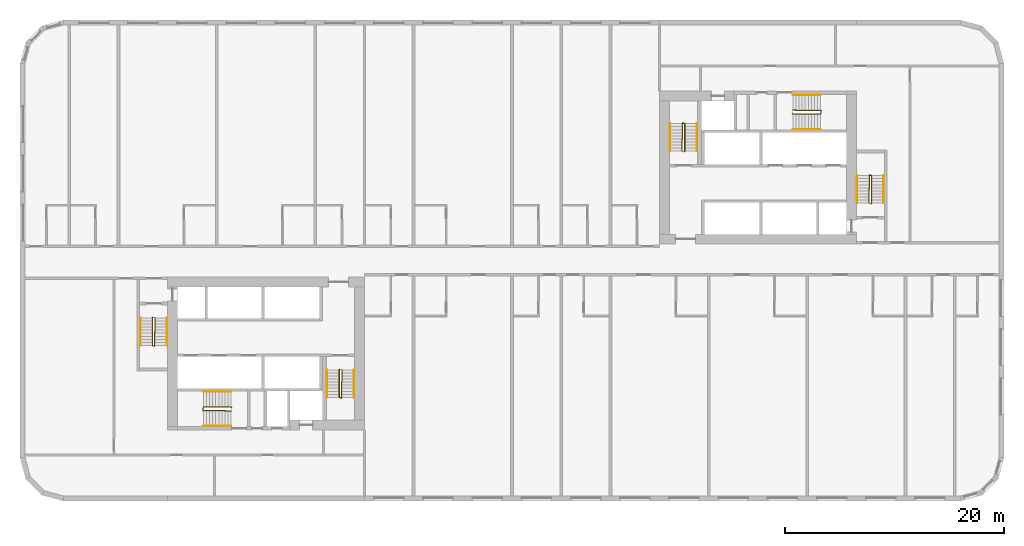
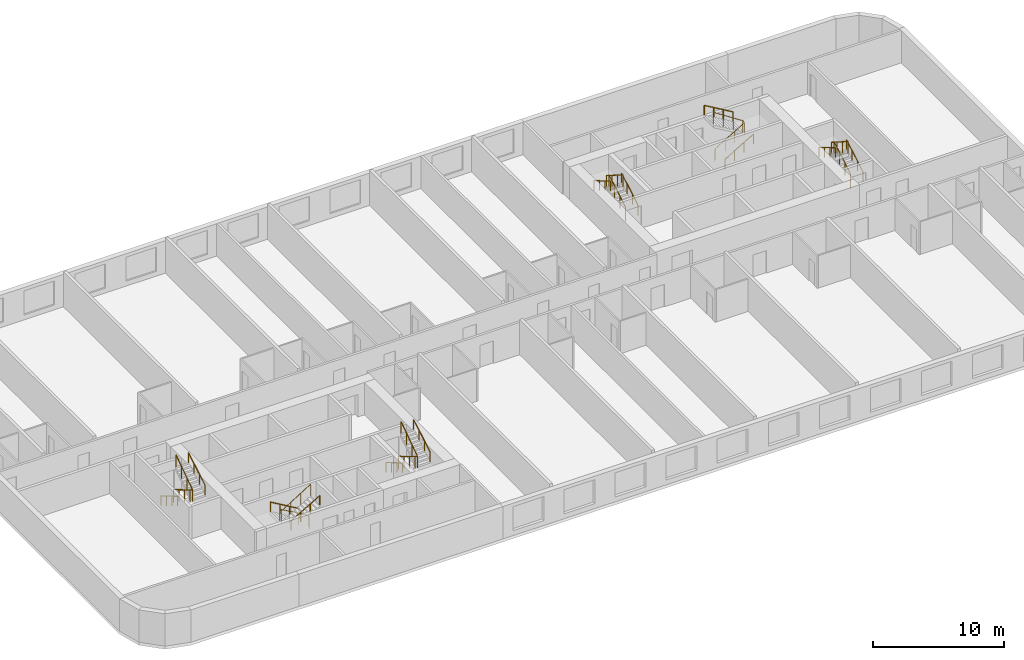
# One storey, part 12 of 12: 18 railings.
"""IFC4 building model written with IfcOpenShell, lengths in metres."""

from ifc_helpers import new_model, si_unit, direction, frame, origin, origin_2d, place, context, subcontext, project, spatial, circle, extrude, material, type_object, element, save


model = new_model("IFC4")

# Units and contexts
model_context = context("Model", 3, precision=1e-05, world=origin(), true_north=direction((0.0, 1.0)))
body_context = subcontext(model_context, "Body", "Model", "MODEL_VIEW")
ifc_project = project(units=[si_unit("LENGTHUNIT", "METRE"), si_unit("AREAUNIT", "SQUARE_METRE"), si_unit("VOLUMEUNIT", "CUBIC_METRE"), si_unit("PLANEANGLEUNIT", "RADIAN"), si_unit("MASSUNIT", "GRAM", prefix="KILO")], contexts=[model_context])

# Site, building, storey
site_placement = place(None, origin())
site = spatial("IfcSite", under=ifc_project, at=site_placement, CompositionType="ELEMENT")
building_placement = place(site_placement, origin())
building = spatial("IfcBuilding", under=site, at=building_placement, Name="Kajstack Hotel Tower", CompositionType="ELEMENT")
storey_placement = place(building_placement, frame((0.0, 0.0, 66.60009765625)))
storey = spatial("IfcBuildingStorey", under=building, at=storey_placement, Name="L11", CompositionType="ELEMENT", Elevation=66.60009765625)

# Railings
ifc_material = material(Name="Steel S355J2", Category="steel")
railing_type_1 = type_object("IfcRailingType", Name="Stair guard 1100", PredefinedType="GUARDRAIL", material=ifc_material)
railing_1_placement = place(storey_placement, frame((-32.85009765625, -5.199951171875, 0.0)))
element("IfcRailing", 1, at=railing_1_placement, inside=storey, type_object=railing_type_1, Name="L11 W1 stair guard 1", PredefinedType="GUARDRAIL", context=body_context, shape_type="SweptSolid", body=[
    extrude(circle(Radius=0.02392578125, at=origin_2d()), frame((0.0, 0.0, 1.076171875), z_axis=(-0.277797701265, -0.279159454702, 0.919183570361), x_axis=(0.708833529934, -0.705375805398, 0.0)), (0.0, 0.0, 1.0), 0.17919921875),
    extrude(circle(Radius=0.02392578125, at=origin_2d()), frame((-0.0498046875, -0.050048828125, 1.24072265625), z_axis=(0.0, -0.86152411907, 0.507716645641), x_axis=(1.0, 0.0, 0.0)), (0.0, 0.0, 1.0), 2.925048828125),
    extrude(circle(Radius=0.02392578125, at=origin_2d()), frame((-0.0498046875, -2.570068359375, 2.72607421875), z_axis=(0.970072785993, -0.242814311512, 0.0), x_axis=(0.242814311512, 0.970072785993, 0.0)), (0.0, 0.0, 1.0), 0.2060546875),
    extrude(circle(Radius=0.02392578125, at=origin_2d()), frame((0.150146484375, -2.6201171875, 2.72607421875), z_axis=(0.016385308676, 0.841405582595, 0.540155687962), x_axis=(-0.999810440751, 0.019470042781, 0.0)), (0.0, 0.0, 1.0), 3.054443359375),
    extrude(circle(Radius=0.02099609375, at=origin_2d()), origin(), (0.0, 0.0, 1.0), 1.052001953125),
    extrude(circle(Radius=0.02099609375, at=origin_2d()), frame((-0.0498046875, -0.050048828125, 0.164794921875)), (0.0, 0.0, 1.0), 1.052001953125),
    extrude(circle(Radius=0.02099609375, at=origin_2d()), frame((-0.0498046875, -0.89013671875, 0.659912109375)), (0.0, 0.0, 1.0), 1.052001953125),
    extrude(circle(Radius=0.02099609375, at=origin_2d()), frame((-0.0498046875, -1.72998046875, 1.15478515625)), (0.0, 0.0, 1.0), 1.052001953125),
    extrude(circle(Radius=0.02099609375, at=origin_2d()), frame((-0.0498046875, -2.570068359375, 1.64990234375)), (0.0, 0.0, 1.0), 1.052001953125),
    extrude(circle(Radius=0.02099609375, at=origin_2d()), frame((0.150146484375, -2.6201171875, 1.64990234375)), (0.0, 0.0, 1.0), 1.052001953125),
    extrude(circle(Radius=0.02099609375, at=origin_2d()), frame((0.166748046875, -1.763427734375, 2.199951171875)), (0.0, 0.0, 1.0), 1.052001953125),
    extrude(circle(Radius=0.02099609375, at=origin_2d()), frame((0.18359375, -0.90673828125, 2.749755859375)), (0.0, 0.0, 1.0), 1.052001953125),
    extrude(circle(Radius=0.02099609375, at=origin_2d()), frame((0.2001953125, -0.050048828125, 3.2998046875)), (0.0, 0.0, 1.0), 1.052001953125),
])
railing_2_placement = place(storey_placement, frame((-15.75, -9.949951171875, 0.0)))
element("IfcRailing", 2, at=railing_2_placement, inside=storey, type_object=railing_type_1, Name="L11 W2 stair guard 1", PredefinedType="GUARDRAIL", context=body_context, shape_type="SweptSolid", body=[
    extrude(circle(Radius=0.02392578125, at=origin_2d()), frame((0.0, 0.0, 1.076171875), z_axis=(-0.279053652268, -0.279053652268, 0.918835196492), x_axis=(0.707106781187, -0.707106781187, 0.0)), (0.0, 0.0, 1.0), 0.179443359375),
    extrude(circle(Radius=0.02392578125, at=origin_2d()), frame((-0.050048828125, -0.050048828125, 1.24072265625), z_axis=(0.0, -0.86152411907, 0.507716645641), x_axis=(1.0, 0.0, 0.0)), (0.0, 0.0, 1.0), 2.925048828125),
    extrude(circle(Radius=0.02392578125, at=origin_2d()), frame((-0.050048828125, -2.570068359375, 2.72607421875), z_axis=(0.970072785993, -0.242814311512, 0.0), x_axis=(0.242814311512, 0.970072785993, 0.0)), (0.0, 0.0, 1.0), 0.2060546875),
    extrude(circle(Radius=0.02392578125, at=origin_2d()), frame((0.14990234375, -2.6201171875, 2.72607421875), z_axis=(0.016385308676, 0.841405582595, 0.540155687962), x_axis=(-0.999810440751, 0.019470042781, 0.0)), (0.0, 0.0, 1.0), 3.054443359375),
    extrude(circle(Radius=0.02099609375, at=origin_2d()), origin(), (0.0, 0.0, 1.0), 1.052001953125),
    extrude(circle(Radius=0.02099609375, at=origin_2d()), frame((-0.050048828125, -0.050048828125, 0.164794921875)), (0.0, 0.0, 1.0), 1.052001953125),
    extrude(circle(Radius=0.02099609375, at=origin_2d()), frame((-0.050048828125, -0.89013671875, 0.659912109375)), (0.0, 0.0, 1.0), 1.052001953125),
    extrude(circle(Radius=0.02099609375, at=origin_2d()), frame((-0.050048828125, -1.72998046875, 1.15478515625)), (0.0, 0.0, 1.0), 1.052001953125),
    extrude(circle(Radius=0.02099609375, at=origin_2d()), frame((-0.050048828125, -2.570068359375, 1.64990234375)), (0.0, 0.0, 1.0), 1.052001953125),
    extrude(circle(Radius=0.02099609375, at=origin_2d()), frame((0.14990234375, -2.6201171875, 1.64990234375)), (0.0, 0.0, 1.0), 1.052001953125),
    extrude(circle(Radius=0.02099609375, at=origin_2d()), frame((0.16650390625, -1.763427734375, 2.199951171875)), (0.0, 0.0, 1.0), 1.052001953125),
    extrude(circle(Radius=0.02099609375, at=origin_2d()), frame((0.183349609375, -0.90673828125, 2.749755859375)), (0.0, 0.0, 1.0), 1.052001953125),
    extrude(circle(Radius=0.02099609375, at=origin_2d()), frame((0.199951171875, -0.050048828125, 3.2998046875)), (0.0, 0.0, 1.0), 1.052001953125),
])
railing_3_placement = place(storey_placement, frame((-25.64990234375, -13.449951171875, 0.0)))
element("IfcRailing", 3, at=railing_3_placement, inside=storey, type_object=railing_type_1, Name="L11 W3 stair guard 1", PredefinedType="GUARDRAIL", context=body_context, shape_type="SweptSolid", body=[
    extrude(circle(Radius=0.02392578125, at=origin_2d()), frame((0.0, 0.0, 1.076171875), z_axis=(-0.279053652268, 0.279053652268, 0.918835196492), x_axis=(-0.707106781187, -0.707106781187, 0.0)), (0.0, 0.0, 1.0), 0.179443359375),
    extrude(circle(Radius=0.02392578125, at=origin_2d()), frame((-0.050048828125, 0.050048828125, 1.24072265625), z_axis=(-0.86152411907, 0.0, 0.507716645641), x_axis=(0.0, -1.0, 0.0)), (0.0, 0.0, 1.0), 2.925048828125),
    extrude(circle(Radius=0.02392578125, at=origin_2d()), frame((-2.570068359375, 0.050048828125, 2.72607421875), z_axis=(-0.164529134168, -0.986372223864, 0.0), x_axis=(0.986372223864, -0.164529134168, 0.0)), (0.0, 0.0, 1.0), 0.30419921875),
    extrude(circle(Radius=0.02392578125, at=origin_2d()), frame((-2.6201171875, -0.25, 2.72607421875), z_axis=(0.841405582595, -0.016385308676, 0.540155687962), x_axis=(0.019470042781, 0.999810440751, 0.0)), (0.0, 0.0, 1.0), 3.054443359375),
    extrude(circle(Radius=0.02099609375, at=origin_2d()), origin(), (0.0, 0.0, 1.0), 1.052001953125),
    extrude(circle(Radius=0.02099609375, at=origin_2d()), frame((-0.050048828125, 0.050048828125, 0.164794921875)), (0.0, 0.0, 1.0), 1.052001953125),
    extrude(circle(Radius=0.02099609375, at=origin_2d()), frame((-0.89013671875, 0.050048828125, 0.659912109375)), (0.0, 0.0, 1.0), 1.052001953125),
    extrude(circle(Radius=0.02099609375, at=origin_2d()), frame((-1.72998046875, 0.050048828125, 1.15478515625)), (0.0, 0.0, 1.0), 1.052001953125),
    extrude(circle(Radius=0.02099609375, at=origin_2d()), frame((-2.570068359375, 0.050048828125, 1.64990234375)), (0.0, 0.0, 1.0), 1.052001953125),
    extrude(circle(Radius=0.02099609375, at=origin_2d()), frame((-2.6201171875, -0.25, 1.64990234375)), (0.0, 0.0, 1.0), 1.052001953125),
    extrude(circle(Radius=0.02099609375, at=origin_2d()), frame((-1.763427734375, -0.2666015625, 2.199951171875)), (0.0, 0.0, 1.0), 1.052001953125),
    extrude(circle(Radius=0.02099609375, at=origin_2d()), frame((-0.90673828125, -0.283447265625, 2.749755859375)), (0.0, 0.0, 1.0), 1.052001953125),
    extrude(circle(Radius=0.02099609375, at=origin_2d()), frame((-0.050048828125, -0.300048828125, 3.2998046875)), (0.0, 0.0, 1.0), 1.052001953125),
])
railing_4_placement = place(storey_placement, frame((32.85009765625, 5.199951171875, 0.0)))
element("IfcRailing", 4, at=railing_4_placement, inside=storey, type_object=railing_type_1, Name="L11 E1 stair guard 1", PredefinedType="GUARDRAIL", context=body_context, shape_type="SweptSolid", body=[
    extrude(circle(Radius=0.02392578125, at=origin_2d()), frame((0.0, 0.0, 1.076171875), z_axis=(0.277797701265, 0.279159454702, 0.919183570361), x_axis=(-0.708833529934, 0.705375805398, 0.0)), (0.0, 0.0, 1.0), 0.17919921875),
    extrude(circle(Radius=0.02392578125, at=origin_2d()), frame((0.0498046875, 0.050048828125, 1.24072265625), z_axis=(0.0, 0.86152411907, 0.507716645641), x_axis=(-1.0, 0.0, 0.0)), (0.0, 0.0, 1.0), 2.925048828125),
    extrude(circle(Radius=0.02392578125, at=origin_2d()), frame((0.0498046875, 2.570068359375, 2.72607421875), z_axis=(-0.970072785993, 0.242814311512, 0.0), x_axis=(-0.242814311512, -0.970072785993, 0.0)), (0.0, 0.0, 1.0), 0.2060546875),
    extrude(circle(Radius=0.02392578125, at=origin_2d()), frame((-0.150146484375, 2.6201171875, 2.72607421875), z_axis=(-0.016385308676, -0.841405582595, 0.540155687962), x_axis=(0.999810440751, -0.019470042781, 0.0)), (0.0, 0.0, 1.0), 3.054443359375),
    extrude(circle(Radius=0.02099609375, at=origin_2d()), origin(), (0.0, 0.0, 1.0), 1.052001953125),
    extrude(circle(Radius=0.02099609375, at=origin_2d()), frame((0.0498046875, 0.050048828125, 0.164794921875)), (0.0, 0.0, 1.0), 1.052001953125),
    extrude(circle(Radius=0.02099609375, at=origin_2d()), frame((0.0498046875, 0.89013671875, 0.659912109375)), (0.0, 0.0, 1.0), 1.052001953125),
    extrude(circle(Radius=0.02099609375, at=origin_2d()), frame((0.0498046875, 1.72998046875, 1.15478515625)), (0.0, 0.0, 1.0), 1.052001953125),
    extrude(circle(Radius=0.02099609375, at=origin_2d()), frame((0.0498046875, 2.570068359375, 1.64990234375)), (0.0, 0.0, 1.0), 1.052001953125),
    extrude(circle(Radius=0.02099609375, at=origin_2d()), frame((-0.150146484375, 2.6201171875, 1.64990234375)), (0.0, 0.0, 1.0), 1.052001953125),
    extrude(circle(Radius=0.02099609375, at=origin_2d()), frame((-0.166748046875, 1.763427734375, 2.199951171875)), (0.0, 0.0, 1.0), 1.052001953125),
    extrude(circle(Radius=0.02099609375, at=origin_2d()), frame((-0.18359375, 0.90673828125, 2.749755859375)), (0.0, 0.0, 1.0), 1.052001953125),
    extrude(circle(Radius=0.02099609375, at=origin_2d()), frame((-0.2001953125, 0.050048828125, 3.2998046875)), (0.0, 0.0, 1.0), 1.052001953125),
])
railing_5_placement = place(storey_placement, frame((15.75, 9.949951171875, 0.0)))
element("IfcRailing", 5, at=railing_5_placement, inside=storey, type_object=railing_type_1, Name="L11 E2 stair guard 1", PredefinedType="GUARDRAIL", context=body_context, shape_type="SweptSolid", body=[
    extrude(circle(Radius=0.02392578125, at=origin_2d()), frame((0.0, 0.0, 1.076171875), z_axis=(0.279053652268, 0.279053652268, 0.918835196492), x_axis=(-0.707106781187, 0.707106781187, 0.0)), (0.0, 0.0, 1.0), 0.179443359375),
    extrude(circle(Radius=0.02392578125, at=origin_2d()), frame((0.050048828125, 0.050048828125, 1.24072265625), z_axis=(0.0, 0.86152411907, 0.507716645641), x_axis=(-1.0, 0.0, 0.0)), (0.0, 0.0, 1.0), 2.925048828125),
    extrude(circle(Radius=0.02392578125, at=origin_2d()), frame((0.050048828125, 2.570068359375, 2.72607421875), z_axis=(-0.970072785993, 0.242814311512, 0.0), x_axis=(-0.242814311512, -0.970072785993, 0.0)), (0.0, 0.0, 1.0), 0.2060546875),
    extrude(circle(Radius=0.02392578125, at=origin_2d()), frame((-0.14990234375, 2.6201171875, 2.72607421875), z_axis=(-0.016385308676, -0.841405582595, 0.540155687962), x_axis=(0.999810440751, -0.019470042781, 0.0)), (0.0, 0.0, 1.0), 3.054443359375),
    extrude(circle(Radius=0.02099609375, at=origin_2d()), origin(), (0.0, 0.0, 1.0), 1.052001953125),
    extrude(circle(Radius=0.02099609375, at=origin_2d()), frame((0.050048828125, 0.050048828125, 0.164794921875)), (0.0, 0.0, 1.0), 1.052001953125),
    extrude(circle(Radius=0.02099609375, at=origin_2d()), frame((0.050048828125, 0.89013671875, 0.659912109375)), (0.0, 0.0, 1.0), 1.052001953125),
    extrude(circle(Radius=0.02099609375, at=origin_2d()), frame((0.050048828125, 1.72998046875, 1.15478515625)), (0.0, 0.0, 1.0), 1.052001953125),
    extrude(circle(Radius=0.02099609375, at=origin_2d()), frame((0.050048828125, 2.570068359375, 1.64990234375)), (0.0, 0.0, 1.0), 1.052001953125),
    extrude(circle(Radius=0.02099609375, at=origin_2d()), frame((-0.14990234375, 2.6201171875, 1.64990234375)), (0.0, 0.0, 1.0), 1.052001953125),
    extrude(circle(Radius=0.02099609375, at=origin_2d()), frame((-0.16650390625, 1.763427734375, 2.199951171875)), (0.0, 0.0, 1.0), 1.052001953125),
    extrude(circle(Radius=0.02099609375, at=origin_2d()), frame((-0.183349609375, 0.90673828125, 2.749755859375)), (0.0, 0.0, 1.0), 1.052001953125),
    extrude(circle(Radius=0.02099609375, at=origin_2d()), frame((-0.199951171875, 0.050048828125, 3.2998046875)), (0.0, 0.0, 1.0), 1.052001953125),
])
railing_6_placement = place(storey_placement, frame((25.64990234375, 13.449951171875, 0.0)))
element("IfcRailing", 6, at=railing_6_placement, inside=storey, type_object=railing_type_1, Name="L11 E3 stair guard 1", PredefinedType="GUARDRAIL", context=body_context, shape_type="SweptSolid", body=[
    extrude(circle(Radius=0.02392578125, at=origin_2d()), frame((0.0, 0.0, 1.076171875), z_axis=(0.279053652268, -0.279053652268, 0.918835196492), x_axis=(0.707106781187, 0.707106781187, 0.0)), (0.0, 0.0, 1.0), 0.179443359375),
    extrude(circle(Radius=0.02392578125, at=origin_2d()), frame((0.050048828125, -0.050048828125, 1.24072265625), z_axis=(0.86152411907, 0.0, 0.507716645641), x_axis=(0.0, 1.0, 0.0)), (0.0, 0.0, 1.0), 2.925048828125),
    extrude(circle(Radius=0.02392578125, at=origin_2d()), frame((2.570068359375, -0.050048828125, 2.72607421875), z_axis=(0.164529134168, 0.986372223864, 0.0), x_axis=(-0.986372223864, 0.164529134168, 0.0)), (0.0, 0.0, 1.0), 0.30419921875),
    extrude(circle(Radius=0.02392578125, at=origin_2d()), frame((2.6201171875, 0.25, 2.72607421875), z_axis=(-0.841405582595, 0.016385308676, 0.540155687962), x_axis=(-0.019470042781, -0.999810440751, 0.0)), (0.0, 0.0, 1.0), 3.054443359375),
    extrude(circle(Radius=0.02099609375, at=origin_2d()), origin(), (0.0, 0.0, 1.0), 1.052001953125),
    extrude(circle(Radius=0.02099609375, at=origin_2d()), frame((0.050048828125, -0.050048828125, 0.164794921875)), (0.0, 0.0, 1.0), 1.052001953125),
    extrude(circle(Radius=0.02099609375, at=origin_2d()), frame((0.89013671875, -0.050048828125, 0.659912109375)), (0.0, 0.0, 1.0), 1.052001953125),
    extrude(circle(Radius=0.02099609375, at=origin_2d()), frame((1.72998046875, -0.050048828125, 1.15478515625)), (0.0, 0.0, 1.0), 1.052001953125),
    extrude(circle(Radius=0.02099609375, at=origin_2d()), frame((2.570068359375, -0.050048828125, 1.64990234375)), (0.0, 0.0, 1.0), 1.052001953125),
    extrude(circle(Radius=0.02099609375, at=origin_2d()), frame((2.6201171875, 0.25, 1.64990234375)), (0.0, 0.0, 1.0), 1.052001953125),
    extrude(circle(Radius=0.02099609375, at=origin_2d()), frame((1.763427734375, 0.2666015625, 2.199951171875)), (0.0, 0.0, 1.0), 1.052001953125),
    extrude(circle(Radius=0.02099609375, at=origin_2d()), frame((0.90673828125, 0.283447265625, 2.749755859375)), (0.0, 0.0, 1.0), 1.052001953125),
    extrude(circle(Radius=0.02099609375, at=origin_2d()), frame((0.050048828125, 0.300048828125, 3.2998046875)), (0.0, 0.0, 1.0), 1.052001953125),
])
railing_type_2 = type_object("IfcRailingType", Name="Stair handrail 900", PredefinedType="HANDRAIL", material=ifc_material)
railing_7_placement = place(storey_placement, frame((-34.0, -5.25, 0.164794921875)))
element("IfcRailing", 7, at=railing_7_placement, inside=storey, type_object=railing_type_2, Name="L11 W1 stair handrail 1", PredefinedType="HANDRAIL", context=body_context, shape_type="SweptSolid", body=[
    extrude(circle(Radius=0.02392578125, at=origin_2d()), frame((0.0, 0.0, 0.8759765625), z_axis=(0.0, -0.86152411907, 0.507716645641), x_axis=(1.0, 0.0, 0.0)), (0.0, 0.0, 1.0), 2.925048828125),
    extrude(circle(Radius=0.02099609375, at=origin_2d()), origin(), (0.0, 0.0, 1.0), 0.851806640625),
    extrude(circle(Radius=0.02099609375, at=origin_2d()), frame((0.0, -0.840087890625, 0.4951171875)), (0.0, 0.0, 1.0), 0.851806640625),
    extrude(circle(Radius=0.02099609375, at=origin_2d()), frame((0.0, -1.679931640625, 0.989990234375)), (0.0, 0.0, 1.0), 0.851806640625),
    extrude(circle(Radius=0.02099609375, at=origin_2d()), frame((0.0, -2.52001953125, 1.485107421875)), (0.0, 0.0, 1.0), 0.851806640625),
])
railing_8_placement = place(storey_placement, frame((-31.550048828125, -7.77001953125, 1.81494140625)))
element("IfcRailing", 8, at=railing_8_placement, inside=storey, type_object=railing_type_2, Name="L11 W1 stair handrail 2", PredefinedType="HANDRAIL", context=body_context, shape_type="SweptSolid", body=[
    extrude(circle(Radius=0.02392578125, at=origin_2d()), frame((0.0, 0.0, 0.8759765625), z_axis=(0.0, 0.861560626758, 0.507654692109), x_axis=(-1.0, 0.0, 0.0)), (0.0, 0.0, 1.0), 2.925048828125),
    extrude(circle(Radius=0.02099609375, at=origin_2d()), origin(), (0.0, 0.0, 1.0), 0.851806640625),
    extrude(circle(Radius=0.02099609375, at=origin_2d()), frame((0.0, 0.840087890625, 0.494873046875)), (0.0, 0.0, 1.0), 0.851806640625),
    extrude(circle(Radius=0.02099609375, at=origin_2d()), frame((0.0, 1.679931640625, 0.989990234375)), (0.0, 0.0, 1.0), 0.851806640625),
    extrude(circle(Radius=0.02099609375, at=origin_2d()), frame((0.0, 2.52001953125, 1.48486328125)), (0.0, 0.0, 1.0), 0.851806640625),
])
railing_9_placement = place(storey_placement, frame((-16.89990234375, -10.0, 0.164794921875)))
element("IfcRailing", 9, at=railing_9_placement, inside=storey, type_object=railing_type_2, Name="L11 W2 stair handrail 1", PredefinedType="HANDRAIL", context=body_context, shape_type="SweptSolid", body=[
    extrude(circle(Radius=0.02392578125, at=origin_2d()), frame((0.0, 0.0, 0.8759765625), z_axis=(0.0, -0.86152411907, 0.507716645641), x_axis=(1.0, 0.0, 0.0)), (0.0, 0.0, 1.0), 2.925048828125),
    extrude(circle(Radius=0.02099609375, at=origin_2d()), origin(), (0.0, 0.0, 1.0), 0.851806640625),
    extrude(circle(Radius=0.02099609375, at=origin_2d()), frame((0.0, -0.840087890625, 0.4951171875)), (0.0, 0.0, 1.0), 0.851806640625),
    extrude(circle(Radius=0.02099609375, at=origin_2d()), frame((0.0, -1.679931640625, 0.989990234375)), (0.0, 0.0, 1.0), 0.851806640625),
    extrude(circle(Radius=0.02099609375, at=origin_2d()), frame((0.0, -2.52001953125, 1.485107421875)), (0.0, 0.0, 1.0), 0.851806640625),
])
railing_10_placement = place(storey_placement, frame((-14.449951171875, -12.52001953125, 1.81494140625)))
element("IfcRailing", 10, at=railing_10_placement, inside=storey, type_object=railing_type_2, Name="L11 W2 stair handrail 2", PredefinedType="HANDRAIL", context=body_context, shape_type="SweptSolid", body=[
    extrude(circle(Radius=0.02392578125, at=origin_2d()), frame((0.0, 0.0, 0.8759765625), z_axis=(0.0, 0.861560626758, 0.507654692109), x_axis=(-1.0, 0.0, 0.0)), (0.0, 0.0, 1.0), 2.925048828125),
    extrude(circle(Radius=0.02099609375, at=origin_2d()), origin(), (0.0, 0.0, 1.0), 0.851806640625),
    extrude(circle(Radius=0.02099609375, at=origin_2d()), frame((0.0, 0.840087890625, 0.494873046875)), (0.0, 0.0, 1.0), 0.851806640625),
    extrude(circle(Radius=0.02099609375, at=origin_2d()), frame((0.0, 1.679931640625, 0.989990234375)), (0.0, 0.0, 1.0), 0.851806640625),
    extrude(circle(Radius=0.02099609375, at=origin_2d()), frame((0.0, 2.52001953125, 1.48486328125)), (0.0, 0.0, 1.0), 0.851806640625),
])
railing_11_placement = place(storey_placement, frame((-25.699951171875, -12.0, 0.164794921875)))
element("IfcRailing", 11, at=railing_11_placement, inside=storey, type_object=railing_type_2, Name="L11 W3 stair handrail 1", PredefinedType="HANDRAIL", context=body_context, shape_type="SweptSolid", body=[
    extrude(circle(Radius=0.02392578125, at=origin_2d()), frame((0.0, 0.0, 0.8759765625), z_axis=(-0.86152411907, 0.0, 0.507716645641), x_axis=(0.0, -1.0, 0.0)), (0.0, 0.0, 1.0), 2.925048828125),
    extrude(circle(Radius=0.02099609375, at=origin_2d()), origin(), (0.0, 0.0, 1.0), 0.851806640625),
    extrude(circle(Radius=0.02099609375, at=origin_2d()), frame((-0.840087890625, 0.0, 0.4951171875)), (0.0, 0.0, 1.0), 0.851806640625),
    extrude(circle(Radius=0.02099609375, at=origin_2d()), frame((-1.679931640625, 0.0, 0.989990234375)), (0.0, 0.0, 1.0), 0.851806640625),
    extrude(circle(Radius=0.02099609375, at=origin_2d()), frame((-2.52001953125, 0.0, 1.485107421875)), (0.0, 0.0, 1.0), 0.851806640625),
])
railing_12_placement = place(storey_placement, frame((-28.219970703125, -15.14990234375, 1.81494140625)))
element("IfcRailing", 12, at=railing_12_placement, inside=storey, type_object=railing_type_2, Name="L11 W3 stair handrail 2", PredefinedType="HANDRAIL", context=body_context, shape_type="SweptSolid", body=[
    extrude(circle(Radius=0.02392578125, at=origin_2d()), frame((0.0, 0.0, 0.8759765625), z_axis=(0.861560626758, 0.0, 0.507654692109), x_axis=(0.0, 1.0, 0.0)), (0.0, 0.0, 1.0), 2.925048828125),
    extrude(circle(Radius=0.02099609375, at=origin_2d()), origin(), (0.0, 0.0, 1.0), 0.851806640625),
    extrude(circle(Radius=0.02099609375, at=origin_2d()), frame((0.840087890625, 0.0, 0.494873046875)), (0.0, 0.0, 1.0), 0.851806640625),
    extrude(circle(Radius=0.02099609375, at=origin_2d()), frame((1.679931640625, 0.0, 0.989990234375)), (0.0, 0.0, 1.0), 0.851806640625),
    extrude(circle(Radius=0.02099609375, at=origin_2d()), frame((2.52001953125, 0.0, 1.48486328125)), (0.0, 0.0, 1.0), 0.851806640625),
])
railing_13_placement = place(storey_placement, frame((34.0, 5.25, 0.164794921875)))
element("IfcRailing", 13, at=railing_13_placement, inside=storey, type_object=railing_type_2, Name="L11 E1 stair handrail 1", PredefinedType="HANDRAIL", context=body_context, shape_type="SweptSolid", body=[
    extrude(circle(Radius=0.02392578125, at=origin_2d()), frame((0.0, 0.0, 0.8759765625), z_axis=(0.0, 0.86152411907, 0.507716645641), x_axis=(-1.0, 0.0, 0.0)), (0.0, 0.0, 1.0), 2.925048828125),
    extrude(circle(Radius=0.02099609375, at=origin_2d()), origin(), (0.0, 0.0, 1.0), 0.851806640625),
    extrude(circle(Radius=0.02099609375, at=origin_2d()), frame((0.0, 0.840087890625, 0.4951171875)), (0.0, 0.0, 1.0), 0.851806640625),
    extrude(circle(Radius=0.02099609375, at=origin_2d()), frame((0.0, 1.679931640625, 0.989990234375)), (0.0, 0.0, 1.0), 0.851806640625),
    extrude(circle(Radius=0.02099609375, at=origin_2d()), frame((0.0, 2.52001953125, 1.485107421875)), (0.0, 0.0, 1.0), 0.851806640625),
])
railing_14_placement = place(storey_placement, frame((31.550048828125, 7.77001953125, 1.81494140625)))
element("IfcRailing", 14, at=railing_14_placement, inside=storey, type_object=railing_type_2, Name="L11 E1 stair handrail 2", PredefinedType="HANDRAIL", context=body_context, shape_type="SweptSolid", body=[
    extrude(circle(Radius=0.02392578125, at=origin_2d()), frame((0.0, 0.0, 0.8759765625), z_axis=(0.0, -0.861560626758, 0.507654692109), x_axis=(1.0, 0.0, 0.0)), (0.0, 0.0, 1.0), 2.925048828125),
    extrude(circle(Radius=0.02099609375, at=origin_2d()), origin(), (0.0, 0.0, 1.0), 0.851806640625),
    extrude(circle(Radius=0.02099609375, at=origin_2d()), frame((0.0, -0.840087890625, 0.494873046875)), (0.0, 0.0, 1.0), 0.851806640625),
    extrude(circle(Radius=0.02099609375, at=origin_2d()), frame((0.0, -1.679931640625, 0.989990234375)), (0.0, 0.0, 1.0), 0.851806640625),
    extrude(circle(Radius=0.02099609375, at=origin_2d()), frame((0.0, -2.52001953125, 1.48486328125)), (0.0, 0.0, 1.0), 0.851806640625),
])
railing_15_placement = place(storey_placement, frame((16.89990234375, 10.0, 0.164794921875)))
element("IfcRailing", 15, at=railing_15_placement, inside=storey, type_object=railing_type_2, Name="L11 E2 stair handrail 1", PredefinedType="HANDRAIL", context=body_context, shape_type="SweptSolid", body=[
    extrude(circle(Radius=0.02392578125, at=origin_2d()), frame((0.0, 0.0, 0.8759765625), z_axis=(0.0, 0.86152411907, 0.507716645641), x_axis=(-1.0, 0.0, 0.0)), (0.0, 0.0, 1.0), 2.925048828125),
    extrude(circle(Radius=0.02099609375, at=origin_2d()), origin(), (0.0, 0.0, 1.0), 0.851806640625),
    extrude(circle(Radius=0.02099609375, at=origin_2d()), frame((0.0, 0.840087890625, 0.4951171875)), (0.0, 0.0, 1.0), 0.851806640625),
    extrude(circle(Radius=0.02099609375, at=origin_2d()), frame((0.0, 1.679931640625, 0.989990234375)), (0.0, 0.0, 1.0), 0.851806640625),
    extrude(circle(Radius=0.02099609375, at=origin_2d()), frame((0.0, 2.52001953125, 1.485107421875)), (0.0, 0.0, 1.0), 0.851806640625),
])
railing_16_placement = place(storey_placement, frame((14.449951171875, 12.52001953125, 1.81494140625)))
element("IfcRailing", 16, at=railing_16_placement, inside=storey, type_object=railing_type_2, Name="L11 E2 stair handrail 2", PredefinedType="HANDRAIL", context=body_context, shape_type="SweptSolid", body=[
    extrude(circle(Radius=0.02392578125, at=origin_2d()), frame((0.0, 0.0, 0.8759765625), z_axis=(0.0, -0.861560626758, 0.507654692109), x_axis=(1.0, 0.0, 0.0)), (0.0, 0.0, 1.0), 2.925048828125),
    extrude(circle(Radius=0.02099609375, at=origin_2d()), origin(), (0.0, 0.0, 1.0), 0.851806640625),
    extrude(circle(Radius=0.02099609375, at=origin_2d()), frame((0.0, -0.840087890625, 0.494873046875)), (0.0, 0.0, 1.0), 0.851806640625),
    extrude(circle(Radius=0.02099609375, at=origin_2d()), frame((0.0, -1.679931640625, 0.989990234375)), (0.0, 0.0, 1.0), 0.851806640625),
    extrude(circle(Radius=0.02099609375, at=origin_2d()), frame((0.0, -2.52001953125, 1.48486328125)), (0.0, 0.0, 1.0), 0.851806640625),
])
railing_17_placement = place(storey_placement, frame((25.699951171875, 12.0, 0.164794921875)))
element("IfcRailing", 17, at=railing_17_placement, inside=storey, type_object=railing_type_2, Name="L11 E3 stair handrail 1", PredefinedType="HANDRAIL", context=body_context, shape_type="SweptSolid", body=[
    extrude(circle(Radius=0.02392578125, at=origin_2d()), frame((0.0, 0.0, 0.8759765625), z_axis=(0.86152411907, 0.0, 0.507716645641), x_axis=(0.0, 1.0, 0.0)), (0.0, 0.0, 1.0), 2.925048828125),
    extrude(circle(Radius=0.02099609375, at=origin_2d()), origin(), (0.0, 0.0, 1.0), 0.851806640625),
    extrude(circle(Radius=0.02099609375, at=origin_2d()), frame((0.840087890625, 0.0, 0.4951171875)), (0.0, 0.0, 1.0), 0.851806640625),
    extrude(circle(Radius=0.02099609375, at=origin_2d()), frame((1.679931640625, 0.0, 0.989990234375)), (0.0, 0.0, 1.0), 0.851806640625),
    extrude(circle(Radius=0.02099609375, at=origin_2d()), frame((2.52001953125, 0.0, 1.485107421875)), (0.0, 0.0, 1.0), 0.851806640625),
])
railing_18_placement = place(storey_placement, frame((28.219970703125, 15.14990234375, 1.81494140625)))
element("IfcRailing", 18, at=railing_18_placement, inside=storey, type_object=railing_type_2, Name="L11 E3 stair handrail 2", PredefinedType="HANDRAIL", context=body_context, shape_type="SweptSolid", body=[
    extrude(circle(Radius=0.02392578125, at=origin_2d()), frame((0.0, 0.0, 0.8759765625), z_axis=(-0.861560626758, 0.0, 0.507654692109), x_axis=(0.0, -1.0, 0.0)), (0.0, 0.0, 1.0), 2.925048828125),
    extrude(circle(Radius=0.02099609375, at=origin_2d()), origin(), (0.0, 0.0, 1.0), 0.851806640625),
    extrude(circle(Radius=0.02099609375, at=origin_2d()), frame((-0.840087890625, 0.0, 0.494873046875)), (0.0, 0.0, 1.0), 0.851806640625),
    extrude(circle(Radius=0.02099609375, at=origin_2d()), frame((-1.679931640625, 0.0, 0.989990234375)), (0.0, 0.0, 1.0), 0.851806640625),
    extrude(circle(Radius=0.02099609375, at=origin_2d()), frame((-2.52001953125, 0.0, 1.48486328125)), (0.0, 0.0, 1.0), 0.851806640625),
])

save(model, "model.ifc")
